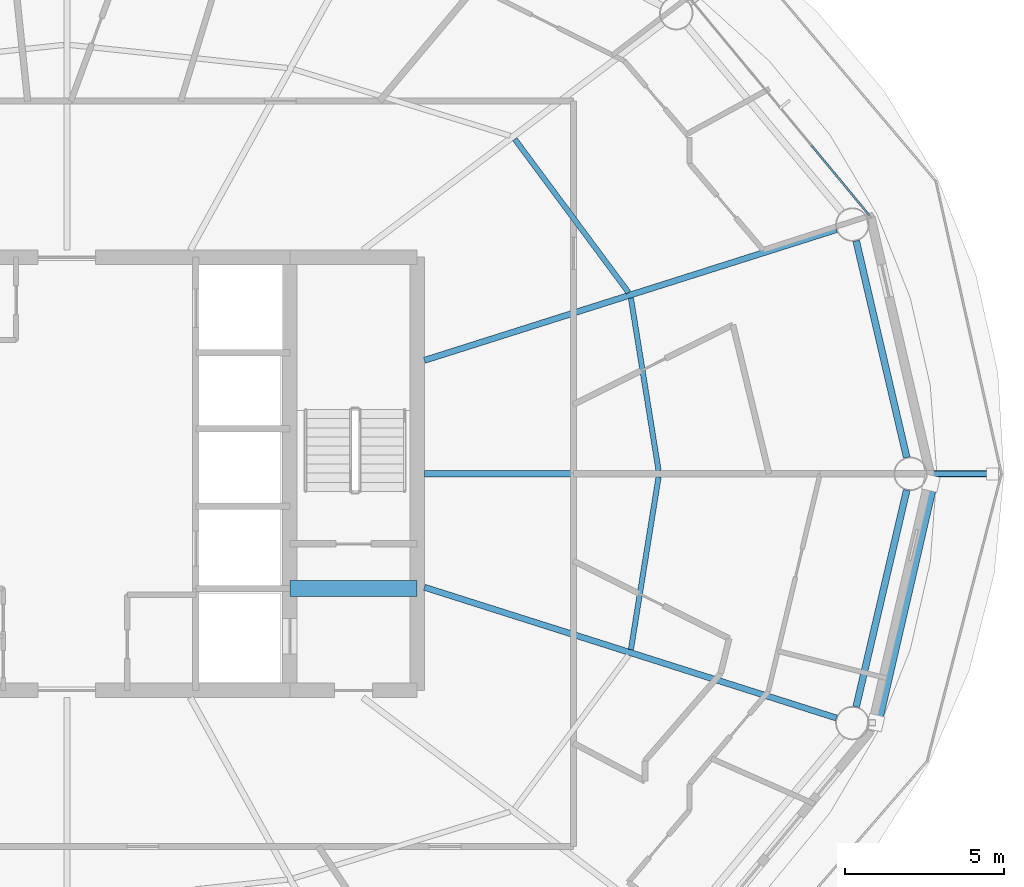
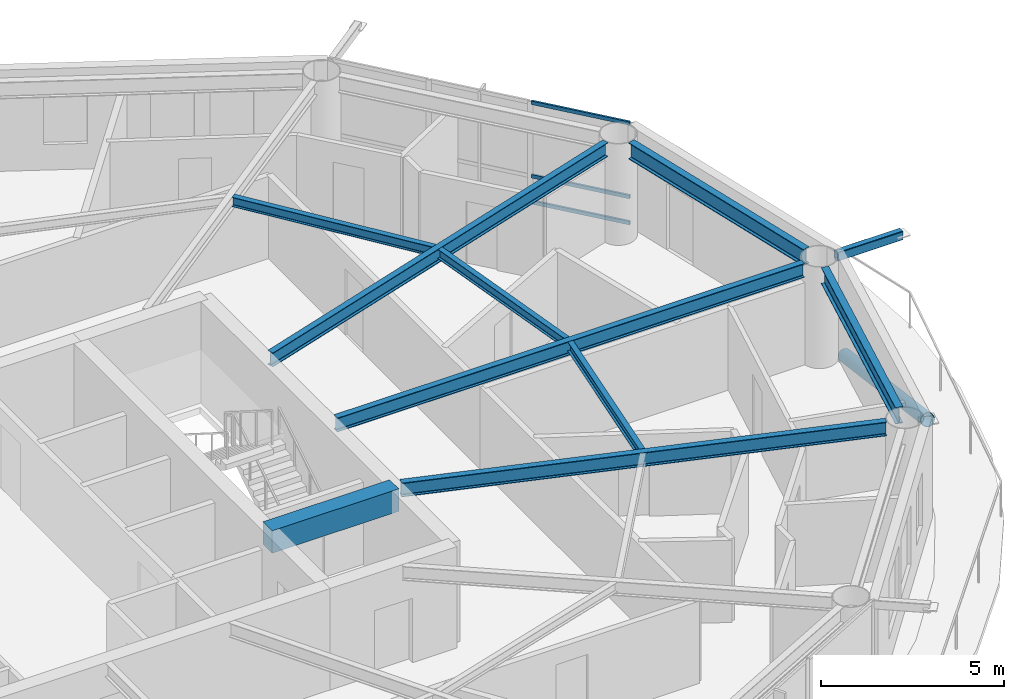
# One storey, part 8 of 28: 9 beams, 5 members, 1 element without a shape of its own.
"""IFC4 building model written with IfcOpenShell, lengths in metres."""

from ifc_helpers import new_model, si_unit, direction, frame, origin, origin_2d, place, context, subcontext, project, spatial, rectangle, hollow_rectangle, hollow_circle, i_section, extrude, material, layer, layer_set, material_profile, profile_set, type_object, element, aggregate, save


model = new_model("IFC4")

# Units and contexts
model_context = context("Model", 3, precision=1e-05, world=origin(), true_north=direction((0.0, 1.0)))
body_context = subcontext(model_context, "Body", "Model", "MODEL_VIEW")
ifc_project = project(units=[si_unit("LENGTHUNIT", "METRE"), si_unit("AREAUNIT", "SQUARE_METRE"), si_unit("VOLUMEUNIT", "CUBIC_METRE"), si_unit("PLANEANGLEUNIT", "RADIAN"), si_unit("MASSUNIT", "GRAM", prefix="KILO")], contexts=[model_context])

# Site, building, storey
site_placement = place(None, origin())
site = spatial("IfcSite", under=ifc_project, at=site_placement, CompositionType="ELEMENT")
building_placement = place(site_placement, origin())
building = spatial("IfcBuilding", under=site, at=building_placement, Name="Sarneth Arch Tower", CompositionType="ELEMENT")
storey_placement = place(building_placement, frame((0.0, 0.0, 172.199951171875)))
storey = spatial("IfcBuildingStorey", under=building, at=storey_placement, Name="L43", CompositionType="ELEMENT", Elevation=172.199951171875)

# Beams
ifc_material_1 = material(Name="Steel S355", Category="steel")
ifc_material_profile_1 = material_profile(ifc_material_1, i_section(OverallWidth=0.1669921875, OverallDepth=0.31689453125, WebThickness=0.007568359375, FlangeThickness=0.01318359375, FilletRadius=0.012939453125, at=origin_2d()), Name="W310x52")
ifc_profile_set_1 = profile_set([ifc_material_profile_1], Name="Steel S355")
beam_type_1 = type_object("IfcBeamType", Name="BM-JOIST-310B", PredefinedType="JOIST", material=ifc_profile_set_1)
beam_1_placement = place(storey_placement, frame((66.578125, 42.09521484375, 3.221435546875), z_axis=(-0.158262632389, 0.987397052451, 0.0), x_axis=(-0.987397052451, -0.158262632389, 0.0)))
element("IfcBeam", 1, at=beam_1_placement, inside=storey, type_object=beam_type_1, Name="L43 Secondary floor joist 01", PredefinedType="JOIST", context=body_context, shape_type="SweptSolid", body=[
    extrude(i_section(OverallWidth=0.1669921875, OverallDepth=0.31689453125, WebThickness=0.007568359375, FlangeThickness=0.01318359375, FilletRadius=0.012939453125, at=origin_2d()), origin(), (0.0, 0.0, 1.0), 5.493408203125),
])
beam_2_placement = place(storey_placement, frame((65.6357421875, 47.692138671875, 3.221435546875), z_axis=(-0.595933334016, 0.803033910497, 0.0), x_axis=(-0.803033910497, -0.595933334016, 0.0)))
element("IfcBeam", 2, at=beam_2_placement, inside=storey, type_object=beam_type_1, Name="L43 Secondary floor joist 02", PredefinedType="JOIST", context=body_context, shape_type="SweptSolid", body=[
    extrude(i_section(OverallWidth=0.1669921875, OverallDepth=0.31689453125, WebThickness=0.007568359375, FlangeThickness=0.01318359375, FilletRadius=0.012939453125, at=origin_2d()), origin(), (0.0, 0.0, 1.0), 5.99560546875),
])
beam_3_placement = place(storey_placement, frame((65.708740234375, 36.480712890625, 3.221435546875), z_axis=(0.158262632389, 0.987397052451, 0.0), x_axis=(-0.987397052451, 0.158262632389, 0.0)))
element("IfcBeam", 3, at=beam_3_placement, inside=storey, type_object=beam_type_1, Name="L43 Secondary floor joist 16", PredefinedType="JOIST", context=body_context, shape_type="SweptSolid", body=[
    extrude(i_section(OverallWidth=0.1669921875, OverallDepth=0.31689453125, WebThickness=0.007568359375, FlangeThickness=0.01318359375, FilletRadius=0.012939453125, at=origin_2d()), origin(), (0.0, 0.0, 1.0), 5.493408203125),
])
ifc_material_2 = material(Name="Concrete C50/60", Category="concrete")
ifc_material_profile_2 = material_profile(ifc_material_2, rectangle(XDim=0.5, YDim=0.75, at=origin_2d()), Name="RC-500x750")
ifc_profile_set_2 = profile_set([ifc_material_profile_2], Name="Concrete C50/60")
beam_type_2 = type_object("IfcBeamType", Name="BM-LINTEL-RC", PredefinedType="LINTEL", material=ifc_profile_set_2)
beam_4_placement = place(storey_placement, frame((55.0, 38.39990234375, 3.005126953125), z_axis=(1.0, 0.0, 0.0), x_axis=(0.0, 1.0, 0.0)))
element("IfcBeam", 4, at=beam_4_placement, inside=storey, type_object=beam_type_2, Name="L43 Core coupling lintel E", PredefinedType="LINTEL", context=body_context, shape_type="SweptSolid", body=[
    extrude(rectangle(XDim=0.5, YDim=0.75, at=origin_2d()), origin(), (0.0, 0.0, 1.0), 4.0),
])
ifc_material_3 = material(Name="Steel S355", Category="steel")
ifc_material_profile_3 = material_profile(ifc_material_3, i_section(OverallWidth=0.193115234375, OverallDepth=0.466064453125, WebThickness=0.011474609375, FlangeThickness=0.01904296875, FilletRadius=0.01806640625, at=origin_2d()), Name="W460x97")
ifc_profile_set_3 = profile_set([ifc_material_profile_3], Name="Steel S355")
beam_type_3 = type_object("IfcBeamType", Name="BM-RAD-460C", PredefinedType="BEAM", material=ifc_profile_set_3)
beam_5_placement = place(storey_placement, frame((59.22509765625, 42.0, 3.14697265625), z_axis=(1.0, 0.0, 0.0), x_axis=(0.0, 1.0, 0.0)))
element("IfcBeam", 5, at=beam_5_placement, inside=storey, type_object=beam_type_3, Name="L43 Radial floor girder 01", PredefinedType="BEAM", context=body_context, shape_type="SweptSolid", body=[
    extrude(i_section(OverallWidth=0.193115234375, OverallDepth=0.466064453125, WebThickness=0.011474609375, FlangeThickness=0.01904296875, FilletRadius=0.01806640625, at=origin_2d()), origin(), (0.0, 0.0, 1.0), 14.73681640625),
])
for number, where, z_axis, x_axis, name in (
    (6, (59.22509765625, 45.56201171875, 3.14697265625), (0.953163620049, 0.302455142815, 0.0), (-0.302455142815, 0.953163620049, 0.0), "L43 Radial floor girder 02"),
    (7, (59.22509765625, 38.43798828125, 3.14697265625), (0.953163620049, -0.302455142815, 0.0), (0.302455142815, 0.953163620049, 0.0), "L43 Radial floor girder 16"),
):
    element("IfcBeam", number, at=place(storey_placement, frame(where, z_axis=z_axis, x_axis=x_axis)), inside=storey, type_object=beam_type_3, Name=name, PredefinedType="BEAM", context=body_context, shape_type="SweptSolid", body=[
        extrude(i_section(OverallWidth=0.193115234375, OverallDepth=0.466064453125, WebThickness=0.011474609375, FlangeThickness=0.01904296875, FilletRadius=0.01806640625, at=origin_2d()), origin(), (0.0, 0.0, 1.0), 13.572265625),
    ])
ifc_material_4 = material(Name="Steel S355", Category="steel")
ifc_material_profile_4 = material_profile(ifc_material_4, i_section(OverallWidth=0.214111328125, OverallDepth=0.549072265625, WebThickness=0.0146484375, FlangeThickness=0.023681640625, FilletRadius=0.01806640625, at=origin_2d()), Name="W530x138")
ifc_profile_set_4 = profile_set([ifc_material_profile_4], Name="Steel S355")
beam_type_4 = type_object("IfcBeamType", Name="BM-RAD-530A", PredefinedType="BEAM", material=ifc_profile_set_4)
for number, where, z_axis, x_axis, name in (
    (8, (74.36767578125, 42.51123046875, 3.10546875), (-0.22708709918, 0.973874452579, 0.0), (-0.973874452579, -0.22708709918, 0.0), "L43 Perimeter spandrel beam 01"),
    (9, (72.78125, 34.685302734375, 3.10546875), (0.22708709918, 0.973874452579, 0.0), (-0.973874452579, 0.22708709918, 0.0), "L43 Perimeter spandrel beam 16"),
):
    element("IfcBeam", number, at=place(storey_placement, frame(where, z_axis=z_axis, x_axis=x_axis)), inside=storey, type_object=beam_type_4, Name=name, PredefinedType="BEAM", context=body_context, shape_type="SweptSolid", body=[
        extrude(i_section(OverallWidth=0.214111328125, OverallDepth=0.549072265625, WebThickness=0.0146484375, FlangeThickness=0.023681640625, FilletRadius=0.01806640625, at=origin_2d()), origin(), (0.0, 0.0, 1.0), 6.986083984375),
    ])

# Curtain wall, members
ifc_material_5 = material(Name="Anodised aluminium Type AA25 and solar-control low-e laminated IGU", Category="aluminium")
ifc_layer = layer(ifc_material_5, 0.169921875)
ifc_layer_set = layer_set([ifc_layer], Name="Anodised aluminium Type AA25 and solar-control low-e laminated IGU")
curtain_wall_type = type_object("IfcCurtainWallType", Name="CW-RES-MID", PredefinedType="NOTDEFINED", material=ifc_layer_set)
curtain_wall_placement = place(storey_placement, origin())
curtain_wall = element("IfcCurtainWall", 10, at=curtain_wall_placement, inside=storey, type_object=curtain_wall_type, Name="L43 Unitised curtain wall facet 02", PredefinedType="NOTDEFINED")
ifc_material_6 = material(Name="Anodised Aluminium 6063-T6", Category="aluminium")
ifc_material_profile_5 = material_profile(ifc_material_6, hollow_rectangle(XDim=0.06005859375, YDim=0.1201171875, WallThickness=0.00390625, at=origin_2d()), Name="AL-TRAN-120x60x4")
ifc_profile_set_5 = profile_set([ifc_material_profile_5], Name="Anodised Aluminium 6063-T6")
member_type_1 = type_object("IfcMemberType", Name="CW-TRANSOM", PredefinedType="USERDEFINED", material=ifc_profile_set_5)
member_1_placement = place(storey_placement, frame((73.194091796875, 50.11328125, 0.030029296875), z_axis=(-0.637358651504, 0.770567290607, 0.0), x_axis=(-0.770567290607, -0.637358651504, 0.0)))
member_1 = element("IfcMember", 11, at=member_1_placement, type_object=member_type_1, Name="CW-SYS-5 transom 1.1", ObjectType="TRANSOM", PredefinedType="USERDEFINED", context=body_context, shape_type="SweptSolid", body=[
    extrude(hollow_rectangle(XDim=0.06005859375, YDim=0.1201171875, WallThickness=0.00390625, at=origin_2d()), origin(), (0.0, 0.0, 1.0), 2.8681640625),
])
member_2_placement = place(storey_placement, frame((73.194091796875, 50.11328125, 0.900146484375), z_axis=(-0.637358651504, 0.770567290607, 0.0), x_axis=(-0.770567290607, -0.637358651504, 0.0)))
member_2 = element("IfcMember", 12, at=member_2_placement, type_object=member_type_1, Name="CW-SYS-5 transom 1.2", ObjectType="TRANSOM", PredefinedType="USERDEFINED", context=body_context, shape_type="SweptSolid", body=[
    extrude(hollow_rectangle(XDim=0.06005859375, YDim=0.1201171875, WallThickness=0.00390625, at=origin_2d()), origin(), (0.0, 0.0, 1.0), 2.8681640625),
])
member_3_placement = place(storey_placement, frame((73.194091796875, 50.11328125, 3.35009765625), z_axis=(-0.637358651504, 0.770567290607, 0.0), x_axis=(-0.770567290607, -0.637358651504, 0.0)))
member_3 = element("IfcMember", 13, at=member_3_placement, type_object=member_type_1, Name="CW-SYS-5 transom 1.3", ObjectType="TRANSOM", PredefinedType="USERDEFINED", context=body_context, shape_type="SweptSolid", body=[
    extrude(hollow_rectangle(XDim=0.06005859375, YDim=0.1201171875, WallThickness=0.00390625, at=origin_2d()), origin(), (0.0, 0.0, 1.0), 2.8681640625),
])
aggregate(curtain_wall, [member_1, member_2, member_3])

# Members
ifc_material_7 = material(Name="Steel S355", Category="steel")
ifc_material_profile_6 = material_profile(ifc_material_7, hollow_rectangle(XDim=0.199951171875, YDim=0.300048828125, WallThickness=0.012451171875, InnerFilletRadius=0.018798828125, OuterFilletRadius=0.03125, at=origin_2d()), Name="RHS300x200x12.5")
ifc_profile_set_6 = profile_set([ifc_material_profile_6], Name="Steel S355")
member_type_2 = type_object("IfcMemberType", Name="MEM-CANT-STRUT", PredefinedType="STRUT", material=ifc_profile_set_6)
member_4_placement = place(storey_placement, frame((75.011962890625, 42.0, 3.219970703125), z_axis=(1.0, 0.0, 0.0), x_axis=(0.0, 1.0, 0.0)))
element("IfcMember", 14, at=member_4_placement, inside=storey, type_object=member_type_2, Name="L43 Balcony cantilever bracket 01", PredefinedType="STRUT", context=body_context, shape_type="SweptSolid", body=[
    extrude(hollow_rectangle(XDim=0.199951171875, YDim=0.300048828125, WallThickness=0.012451171875, InnerFilletRadius=0.018798828125, OuterFilletRadius=0.03125, at=origin_2d()), origin(), (0.0, 0.0, 1.0), 2.054443359375),
])
ifc_material_8 = material(Name="Steel S355", Category="steel")
ifc_material_profile_7 = material_profile(ifc_material_8, hollow_circle(Radius=0.202880859375, WallThickness=0.01611328125, at=origin_2d()), Name="CHS406x16")
ifc_profile_set_7 = profile_set([ifc_material_profile_7], Name="Steel S355")
member_type_3 = type_object("IfcMemberType", Name="MEM-DIAG-BR2", PredefinedType="BRACE", material=ifc_profile_set_7)
member_5_placement = place(storey_placement, frame((75.12890625, 41.707763671875, 0.02001953125), z_axis=(-0.209646277215, -0.90691666474, 0.365445757488), x_axis=(0.974306903917, -0.225224459107, 0.0)))
element("IfcMember", 15, at=member_5_placement, inside=storey, type_object=member_type_3, Name="L43 Perimeter frame diagonal 16", PredefinedType="BRACE", context=body_context, shape_type="SweptSolid", body=[
    extrude(hollow_circle(Radius=0.202880859375, WallThickness=0.01611328125, at=origin_2d()), origin(), (0.0, 0.0, 1.0), 8.292724609375),
])

save(model, "model.ifc")
